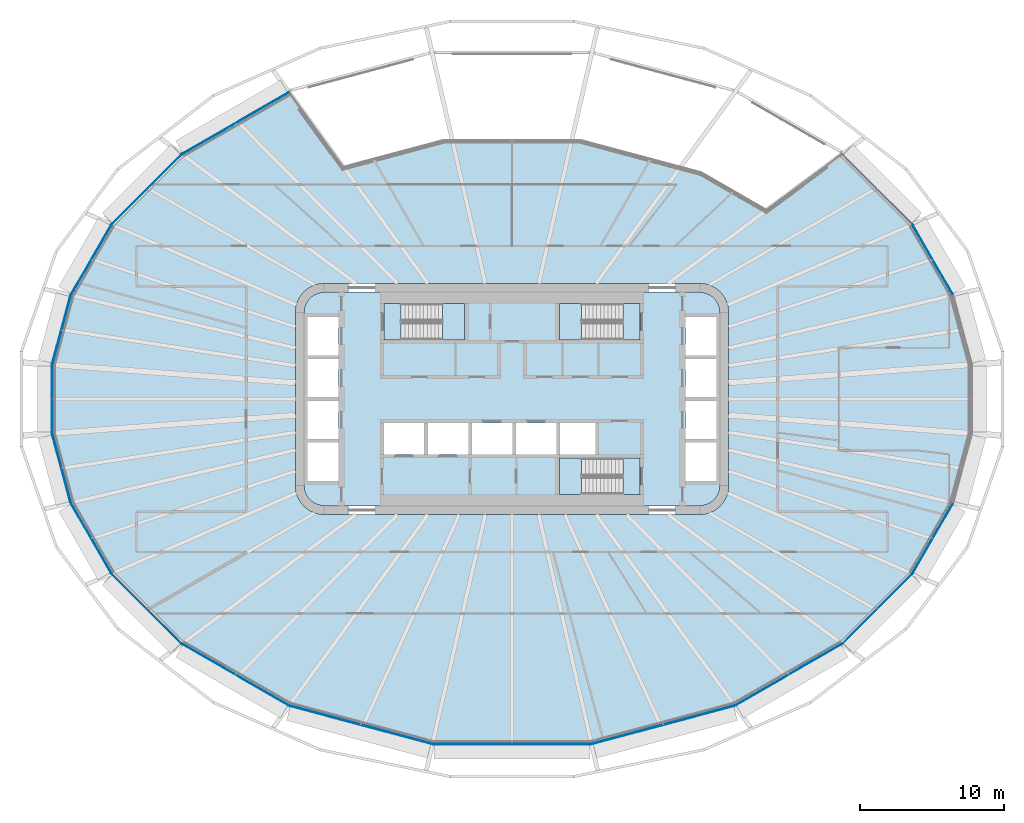
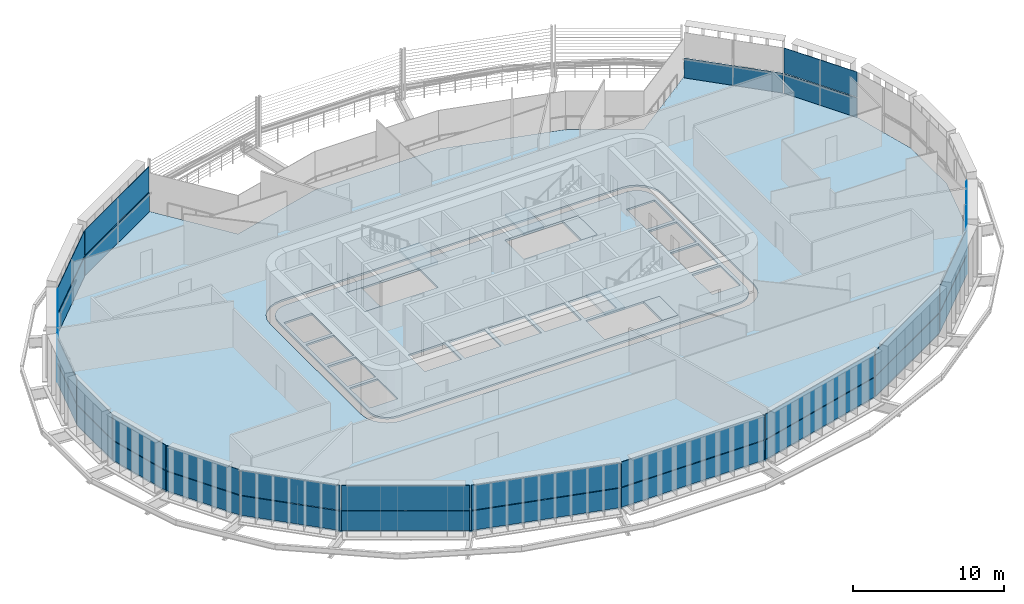
# One storey, part 12 of 24: 33 plates, 8 slabs, 20 elements without a shape of their own.
"""IFC4 building model written with IfcOpenShell, lengths in metres."""

from ifc_helpers import new_model, si_unit, direction, frame, origin, place, context, subcontext, project, spatial, polyline, outline, extrude, material, layer, layer_set, type_object, element, aggregate, save


model = new_model("IFC4")

# Units and contexts
model_context = context("Model", 3, precision=1e-05, world=origin(), true_north=direction((0.0, 1.0)))
body_context = subcontext(model_context, "Body", "Model", "MODEL_VIEW")
ifc_project = project(units=[si_unit("LENGTHUNIT", "METRE"), si_unit("AREAUNIT", "SQUARE_METRE"), si_unit("VOLUMEUNIT", "CUBIC_METRE"), si_unit("PLANEANGLEUNIT", "RADIAN"), si_unit("MASSUNIT", "GRAM", prefix="KILO")], contexts=[model_context])

# Site, building, storey
site_placement = place(None, origin())
site = spatial("IfcSite", under=ifc_project, at=site_placement, CompositionType="ELEMENT")
building_placement = place(site_placement, origin())
building = spatial("IfcBuilding", under=site, at=building_placement, Name="Sahrelin Media Tower", CompositionType="ELEMENT")
storey_placement = place(building_placement, frame((0.0, 0.0, 123.0)))
storey = spatial("IfcBuildingStorey", under=building, at=storey_placement, Name="L24", CompositionType="ELEMENT", Elevation=123.0)

# Slabs
ifc_material_1 = material(Name="Concrete C40/50", Category="concrete")
ifc_layer_1 = layer(ifc_material_1, 0.14990234375)
ifc_layer_set_1 = layer_set([ifc_layer_1], Name="Composite floor slab 150")
slab_type_1 = type_object("IfcSlabType", Name="Composite floor slab 150", PredefinedType="FLOOR", material=ifc_layer_set_1)
placement_1 = place(storey_placement, frame((0.0, 0.0, -0.14990234375)))
element("IfcSlab", 1, at=placement_1, inside=storey, type_object=slab_type_1, Name="Floor slab L24", PredefinedType="FLOOR", context=body_context, shape_type="SweptSolid", body=[
    extrude(outline(polyline([(30.535888671875, -7.178466796875), (31.822509765625, -2.376708984375), (31.822509765625, 2.376708984375), (30.535888671875, 7.178466796875), (27.707275390625, 12.07763671875), (22.846923828125, 16.93798828125), (22.841796875, 16.94091796875), (17.606689453125, 13.058349609375), (13.119384765625, 15.649169921875), (4.723876953125, 17.898681640625), (-4.723876953125, 17.898681640625), (-11.656982421875, 16.041015625), (-15.422607421875, 21.222900390625), (-15.427490234375, 21.2216796875), (-22.846923828125, 16.93798828125), (-27.707275390625, 12.07763671875), (-30.535888671875, 7.178466796875), (-31.822509765625, 2.376708984375), (-31.822509765625, -2.376708984375), (-30.535888671875, -7.178466796875), (-27.707275390625, -12.07763671875), (-22.846923828125, -16.93798828125), (-15.427490234375, -21.2216796875), (-5.510986328125, -23.878662109375), (5.510986328125, -23.878662109375), (15.427490234375, -21.2216796875), (22.846923828125, -16.93798828125), (27.707275390625, -12.07763671875), (30.535888671875, -7.178466796875)]), holes=[polyline([(14.732177734375, 7.0), (14.931884765625, 6.517578125), (15.0, 6.0), (15.0, -6.0), (14.931884765625, -6.517578125), (14.732177734375, -7.0), (14.414306640625, -7.414306640625), (14.0, -7.732177734375), (13.517578125, -7.931884765625), (13.0, -8.0), (-13.0, -8.0), (-13.517578125, -7.931884765625), (-14.0, -7.732177734375), (-14.414306640625, -7.414306640625), (-14.732177734375, -7.0), (-14.931884765625, -6.517578125), (-15.0, -6.0), (-15.0, 6.0), (-14.931884765625, 6.517578125), (-14.732177734375, 7.0), (-14.414306640625, 7.414306640625), (-14.0, 7.732177734375), (-13.517578125, 7.931884765625), (-13.0, 8.0), (13.0, 8.0), (13.517578125, 7.931884765625), (14.0, 7.732177734375), (14.414306640625, 7.414306640625), (14.732177734375, 7.0)])]), origin(), (0.0, 0.0, 1.0), 0.14990234375),
])
ifc_layer_2 = layer(ifc_material_1, 0.14990234375)
ifc_layer_set_2 = layer_set([ifc_layer_2], Name="Core floor slab 150")
slab_type_2 = type_object("IfcSlabType", Name="Core floor slab 150", PredefinedType="FLOOR", material=ifc_layer_set_2)
element("IfcSlab", 2, at=placement_1, inside=storey, type_object=slab_type_2, Name="Core floor", PredefinedType="FLOOR", context=body_context, shape_type="SweptSolid", body=[
    extrude(outline(polyline([(-14.347412109375, 6.361083984375), (-14.39990234375, 5.960693359375), (-14.39990234375, -5.960693359375), (-14.347412109375, -6.361083984375), (-14.2080078125, -6.697509765625), (-13.986328125, -6.986328125), (-13.697509765625, -7.2080078125), (-13.361083984375, -7.347412109375), (-12.960693359375, -7.39990234375), (12.960693359375, -7.39990234375), (13.361083984375, -7.347412109375), (13.697509765625, -7.2080078125), (13.986328125, -6.986328125), (14.2080078125, -6.697509765625), (14.347412109375, -6.361083984375), (14.39990234375, -5.960693359375), (14.39990234375, 5.960693359375), (14.347412109375, 6.361083984375), (14.2080078125, 6.697509765625), (13.986328125, 6.986328125), (13.697509765625, 7.2080078125), (13.361083984375, 7.347412109375), (12.960693359375, 7.39990234375), (-12.960693359375, 7.39990234375), (-13.361083984375, 7.347412109375), (-13.697509765625, 7.2080078125), (-13.986328125, 6.986328125), (-14.2080078125, 6.697509765625), (-14.347412109375, 6.361083984375)]), holes=[polyline([(-12.0, 3.02490234375), (-12.0, 5.675048828125), (-14.14990234375, 5.675048828125), (-14.14990234375, 3.02490234375), (-12.0, 3.02490234375)]), polyline([(-14.14990234375, 0.125), (-12.0, 0.125), (-12.0, 2.77490234375), (-14.14990234375, 2.77490234375), (-14.14990234375, 0.125)]), polyline([(-14.14990234375, -0.125), (-14.14990234375, -2.77490234375), (-12.0, -2.77490234375), (-12.0, -0.125), (-14.14990234375, -0.125)]), polyline([(-12.0, -3.02490234375), (-14.14990234375, -3.02490234375), (-14.14990234375, -5.675048828125), (-12.0, -5.675048828125), (-12.0, -3.02490234375)]), polyline([(14.14990234375, 3.02490234375), (14.14990234375, 5.675048828125), (12.0, 5.675048828125), (12.0, 3.02490234375), (14.14990234375, 3.02490234375)]), polyline([(12.0, 0.125), (14.14990234375, 0.125), (14.14990234375, 2.77490234375), (12.0, 2.77490234375), (12.0, 0.125)]), polyline([(12.0, -0.125), (12.0, -2.77490234375), (14.14990234375, -2.77490234375), (14.14990234375, -0.125), (12.0, -0.125)]), polyline([(14.14990234375, -3.02490234375), (12.0, -3.02490234375), (12.0, -5.675048828125), (14.14990234375, -5.675048828125), (14.14990234375, -3.02490234375)]), polyline([(-6.074951171875, -3.85009765625), (-6.074951171875, -1.64990234375), (-8.875, -1.64990234375), (-8.875, -3.85009765625), (-6.074951171875, -3.85009765625)]), polyline([(-5.824951171875, -3.85009765625), (-3.02490234375, -3.85009765625), (-3.02490234375, -1.64990234375), (-5.824951171875, -1.64990234375), (-5.824951171875, -3.85009765625)]), polyline([(-2.77490234375, -1.64990234375), (-2.77490234375, -3.85009765625), (0.02490234375, -3.85009765625), (0.02490234375, -1.64990234375), (-2.77490234375, -1.64990234375)]), polyline([(3.074951171875, -1.64990234375), (0.27490234375, -1.64990234375), (0.27490234375, -3.85009765625), (3.074951171875, -3.85009765625), (3.074951171875, -1.64990234375)]), polyline([(5.77490234375, -3.85009765625), (5.77490234375, -1.64990234375), (3.324951171875, -1.64990234375), (3.324951171875, -3.85009765625), (5.77490234375, -3.85009765625)]), polyline([(-8.875, 6.60009765625), (-8.875, 4.10009765625), (-3.27490234375, 4.10009765625), (-3.27490234375, 6.60009765625), (-8.875, 6.60009765625)]), polyline([(3.27490234375, 4.10009765625), (8.875, 4.10009765625), (8.875, 6.60009765625), (3.27490234375, 6.60009765625), (3.27490234375, 4.10009765625)]), polyline([(3.27490234375, -4.10009765625), (3.27490234375, -6.60009765625), (8.875, -6.60009765625), (8.875, -4.10009765625), (3.27490234375, -4.10009765625)])]), origin(), (0.0, 0.0, 1.0), 0.14990234375),
])

# Curtain wall, plate
ifc_material_2 = material(Name="Champagne anodised aluminium 6063-T6", Category="aluminium")
ifc_layer_3 = layer(ifc_material_2, 0.14990234375)
ifc_layer_set_3 = layer_set([ifc_layer_3], Name="Tower ribbon curtain wall")
curtain_wall_type = type_object("IfcCurtainWallType", Name="Tower ribbon curtain wall", PredefinedType="NOTDEFINED", material=ifc_layer_set_3)
curtain_wall_1_placement = place(storey_placement, frame((29.138916015625, 9.63818359375, 0.0), z_axis=(0.0, 0.0, 1.0), x_axis=(1.0, 0.0, 0.0)))
curtain_wall_1 = element("IfcCurtainWall", 3, at=curtain_wall_1_placement, inside=storey, type_object=curtain_wall_type, Name="L24:CW:L24-02", PredefinedType="NOTDEFINED")
ifc_material_3 = material(Name="Clear low-iron glazing", Category="glass")
ifc_layer_4 = layer(ifc_material_3, 0.0400390625)
ifc_layer_set_4 = layer_set([ifc_layer_4], Name="Glazing panel 40 mm CW1")
plate_type_1 = type_object("IfcPlateType", Name="Glazing panel 40 mm CW1", PredefinedType="CURTAIN_PANEL", material=ifc_layer_set_4)
plate_1_placement = place(storey_placement, frame((30.546630859375, 7.239501953125, 1.6298828125), z_axis=(0.866019667134, 0.500009936039, 0.0), x_axis=(-0.500009936039, 0.866019667134, 0.0)))
plate_1 = element("IfcPlate", 4, at=plate_1_placement, type_object=plate_type_1, Name="L24:CWP2:L24-02", PredefinedType="CURTAIN_PANEL", context=body_context, shape_type="SweptSolid", body=[
    extrude(outline(polyline([(0.0, 0.0), (5.5625, 0.0), (5.5625, 2.018798828125), (0.0, 2.018798828125), (0.0, 0.0)])), origin(), (0.0, 0.0, -1.0), 0.0400390625),
])

curtain_wall_2_placement = place(storey_placement, frame((-19.147216796875, 19.09716796875, 0.0), z_axis=(0.0, 0.0, 1.0), x_axis=(1.0, 0.0, 0.0)))
curtain_wall_2 = element("IfcCurtainWall", 5, at=curtain_wall_2_placement, inside=storey, type_object=curtain_wall_type, Name="L24:CW:L24-08", PredefinedType="NOTDEFINED")
plate_2_placement = place(storey_placement, frame((-15.488525390625, 21.232666015625, 1.6298828125), z_axis=(-0.500006807861, 0.866021473228, 0.0), x_axis=(-0.866021473228, -0.500006807861, 0.0)))
plate_2 = element("IfcPlate", 6, at=plate_2_placement, type_object=plate_type_1, Name="L24:CWP2:L24-08", PredefinedType="CURTAIN_PANEL", context=body_context, shape_type="SweptSolid", body=[
    extrude(outline(polyline([(0.0, 0.0), (8.47265625, 0.0), (8.47265625, 2.018798828125), (0.0, 2.018798828125), (0.0, 0.0)])), origin(), (0.0, 0.0, -1.0), 0.0400390625),
])

curtain_wall_3_placement = place(storey_placement, frame((-25.291259765625, 14.52197265625, 0.0), z_axis=(0.0, 0.0, 1.0), x_axis=(1.0, 0.0, 0.0)))
curtain_wall_3 = element("IfcCurtainWall", 7, at=curtain_wall_3_placement, inside=storey, type_object=curtain_wall_type, Name="L24:CW:L24-09", PredefinedType="NOTDEFINED")
plate_3_placement = place(storey_placement, frame((-22.90869140625, 16.932861328125, 1.6298828125), z_axis=(-0.707124788617, 0.707088773297, 0.0), x_axis=(-0.707088773297, -0.707124788617, 0.0)))
plate_3 = element("IfcPlate", 8, at=plate_3_placement, type_object=plate_type_1, Name="L24:CWP2:L24-09", PredefinedType="CURTAIN_PANEL", context=body_context, shape_type="SweptSolid", body=[
    extrude(outline(polyline([(0.0, 0.0), (6.77880859375, 0.0), (6.77880859375, 2.018798828125), (0.0, 2.018798828125), (0.0, 0.0)])), origin(), (0.0, 0.0, -1.0), 0.0400390625),
])

curtain_wall_4_placement = place(storey_placement, frame((-29.138916015625, 9.63818359375, 0.0), z_axis=(0.0, 0.0, 1.0), x_axis=(1.0, 0.0, 0.0)))
curtain_wall_4 = element("IfcCurtainWall", 9, at=curtain_wall_4_placement, inside=storey, type_object=curtain_wall_type, Name="L24:CW:L24-10", PredefinedType="NOTDEFINED")
plate_4_placement = place(storey_placement, frame((-27.765380859375, 12.056640625, 1.6298828125), z_axis=(-0.866019667134, 0.500009936039, 0.0), x_axis=(-0.500009936039, -0.866019667134, 0.0)))
plate_4 = element("IfcPlate", 10, at=plate_4_placement, type_object=plate_type_1, Name="L24:CWP2:L24-10", PredefinedType="CURTAIN_PANEL", context=body_context, shape_type="SweptSolid", body=[
    extrude(outline(polyline([(0.0, 0.0), (5.5625, 0.0), (5.5625, 2.018798828125), (0.0, 2.018798828125), (0.0, 0.0)])), origin(), (0.0, 0.0, -1.0), 0.0400390625),
])

curtain_wall_5_placement = place(storey_placement, frame((-31.198486328125, 4.78271484375, 0.0), z_axis=(0.0, 0.0, 1.0), x_axis=(1.0, 0.0, 0.0)))
curtain_wall_5 = element("IfcCurtainWall", 11, at=curtain_wall_5_placement, inside=storey, type_object=curtain_wall_type, Name="L24:CW:L24-11", PredefinedType="NOTDEFINED")
plate_5_placement = place(storey_placement, frame((-30.586669921875, 7.14306640625, 1.6298828125), z_axis=(-0.965923469749, 0.25882783967, 0.0), x_axis=(-0.25882783967, -0.965923469749, 0.0)))
plate_5 = element("IfcPlate", 12, at=plate_5_placement, type_object=plate_type_1, Name="L24:CWP2:L24-11", PredefinedType="CURTAIN_PANEL", context=body_context, shape_type="SweptSolid", body=[
    extrude(outline(polyline([(0.0, 0.0), (4.876708984375, 0.0), (4.876708984375, 2.018798828125), (0.0, 2.018798828125), (0.0, 0.0)])), origin(), (0.0, 0.0, -1.0), 0.0400390625),
])

curtain_wall_6_placement = place(storey_placement, frame((-31.84228515625, 0.0, 0.0), z_axis=(0.0, 0.0, 1.0), x_axis=(1.0, 0.0, 0.0)))
curtain_wall_6 = element("IfcCurtainWall", 13, at=curtain_wall_6_placement, inside=storey, type_object=curtain_wall_type, Name="L24:CW:L24-12", PredefinedType="NOTDEFINED")
plate_6_placement = place(storey_placement, frame((-31.8623046875, 2.3291015625, 1.6298828125), z_axis=(-1.0, 0.0, 0.0), x_axis=(0.0, -1.0, 0.0)))
plate_6 = element("IfcPlate", 14, at=plate_6_placement, type_object=plate_type_1, Name="L24:CWP2:L24-12", PredefinedType="CURTAIN_PANEL", context=body_context, shape_type="SweptSolid", body=[
    extrude(outline(polyline([(0.0, 0.0), (4.658203125, 0.0), (4.658203125, 2.018798828125), (0.0, 2.018798828125), (0.0, 0.0)])), origin(), (0.0, 0.0, -1.0), 0.0400390625),
])

curtain_wall_7_placement = place(storey_placement, frame((-31.198486328125, -4.78271484375, 0.0), z_axis=(0.0, 0.0, 1.0), x_axis=(1.0, 0.0, 0.0)))
curtain_wall_7 = element("IfcCurtainWall", 15, at=curtain_wall_7_placement, inside=storey, type_object=curtain_wall_type, Name="L24:CW:L24-13", PredefinedType="NOTDEFINED")
plate_7_placement = place(storey_placement, frame((-31.848876953125, -2.4326171875, 1.6298828125), z_axis=(-0.965923469749, -0.25882783967, 0.0), x_axis=(0.25882783967, -0.965923469749, 0.0)))
plate_7 = element("IfcPlate", 16, at=plate_7_placement, type_object=plate_type_1, Name="L24:CWP2:L24-13", PredefinedType="CURTAIN_PANEL", context=body_context, shape_type="SweptSolid", body=[
    extrude(outline(polyline([(0.0, 0.0), (4.876708984375, 0.0), (4.876708984375, 2.018798828125), (0.0, 2.018798828125), (0.0, 0.0)])), origin(), (0.0, 0.0, -1.0), 0.0400390625),
])

curtain_wall_8_placement = place(storey_placement, frame((-29.138916015625, -9.63818359375, 0.0), z_axis=(0.0, 0.0, 1.0), x_axis=(1.0, 0.0, 0.0)))
curtain_wall_8 = element("IfcCurtainWall", 17, at=curtain_wall_8_placement, inside=storey, type_object=curtain_wall_type, Name="L24:CW:L24-14", PredefinedType="NOTDEFINED")
plate_8_placement = place(storey_placement, frame((-30.546630859375, -7.239501953125, 1.6298828125), z_axis=(-0.866019667134, -0.500009936039, 0.0), x_axis=(0.500009936039, -0.866019667134, 0.0)))
plate_8 = element("IfcPlate", 18, at=plate_8_placement, type_object=plate_type_1, Name="L24:CWP2:L24-14", PredefinedType="CURTAIN_PANEL", context=body_context, shape_type="SweptSolid", body=[
    extrude(outline(polyline([(0.0, 0.0), (5.5625, 0.0), (5.5625, 2.018798828125), (0.0, 2.018798828125), (0.0, 0.0)])), origin(), (0.0, 0.0, -1.0), 0.0400390625),
])

curtain_wall_9_placement = place(storey_placement, frame((-25.291259765625, -14.52197265625, 0.0), z_axis=(0.0, 0.0, 1.0), x_axis=(1.0, 0.0, 0.0)))
curtain_wall_9 = element("IfcCurtainWall", 19, at=curtain_wall_9_placement, inside=storey, type_object=curtain_wall_type, Name="L24:CW:L24-15", PredefinedType="NOTDEFINED")
plate_9_placement = place(storey_placement, frame((-27.701904296875, -12.139404296875, 1.6298828125), z_axis=(-0.707124788617, -0.707088773297, 0.0), x_axis=(0.707088773297, -0.707124788617, 0.0)))
plate_9 = element("IfcPlate", 20, at=plate_9_placement, type_object=plate_type_1, Name="L24:CWP2:L24-15", PredefinedType="CURTAIN_PANEL", context=body_context, shape_type="SweptSolid", body=[
    extrude(outline(polyline([(0.0, 0.0), (6.77880859375, 0.0), (6.77880859375, 2.018798828125), (0.0, 2.018798828125), (0.0, 0.0)])), origin(), (0.0, 0.0, -1.0), 0.0400390625),
])

curtain_wall_10_placement = place(storey_placement, frame((-19.147216796875, -19.09716796875, 0.0), z_axis=(0.0, 0.0, 1.0), x_axis=(1.0, 0.0, 0.0)))
curtain_wall_10 = element("IfcCurtainWall", 21, at=curtain_wall_10_placement, inside=storey, type_object=curtain_wall_type, Name="L24:CW:L24-16", PredefinedType="NOTDEFINED")
plate_10_placement = place(storey_placement, frame((-22.825927734375, -16.996337890625, 1.6298828125), z_axis=(-0.500006807861, -0.866021473228, 0.0), x_axis=(0.866021473228, -0.500006807861, 0.0)))
plate_10 = element("IfcPlate", 22, at=plate_10_placement, type_object=plate_type_1, Name="L24:CWP2:L24-16", PredefinedType="CURTAIN_PANEL", context=body_context, shape_type="SweptSolid", body=[
    extrude(outline(polyline([(0.0, 0.0), (8.47265625, 0.0), (8.47265625, 2.018798828125), (0.0, 2.018798828125), (0.0, 0.0)])), origin(), (0.0, 0.0, -1.0), 0.0400390625),
])

curtain_wall_11_placement = place(storey_placement, frame((-10.474609375, -22.569580078125, 0.0), z_axis=(0.0, 0.0, 1.0), x_axis=(1.0, 0.0, 0.0)))
curtain_wall_11 = element("IfcCurtainWall", 23, at=curtain_wall_11_placement, inside=storey, type_object=curtain_wall_type, Name="L24:CW:L24-17", PredefinedType="NOTDEFINED")
plate_11_placement = place(storey_placement, frame((-15.39208984375, -21.272705078125, 1.6298828125), z_axis=(-0.258794873355, -0.965932302765, 0.0), x_axis=(0.965932302765, -0.258794873355, 0.0)))
plate_11 = element("IfcPlate", 24, at=plate_11_placement, type_object=plate_type_1, Name="L24:CWP2:L24-17", PredefinedType="CURTAIN_PANEL", context=body_context, shape_type="SweptSolid", body=[
    extrude(outline(polyline([(0.0, 0.0), (10.17138671875, 0.0), (10.17138671875, 2.018798828125), (0.0, 2.018798828125), (0.0, 0.0)])), origin(), (0.0, 0.0, -1.0), 0.0400390625),
])

curtain_wall_12_placement = place(storey_placement, frame((0.0, -23.898681640625, 0.0), z_axis=(0.0, 0.0, 1.0), x_axis=(1.0, 0.0, 0.0)))
curtain_wall_12 = element("IfcCurtainWall", 25, at=curtain_wall_12_placement, inside=storey, type_object=curtain_wall_type, Name="L24:CW:L24-18", PredefinedType="NOTDEFINED")
plate_12_placement = place(storey_placement, frame((-5.463623046875, -23.918701171875, 1.6298828125), z_axis=(0.0, -1.0, 0.0), x_axis=(1.0, 0.0, 0.0)))
plate_12 = element("IfcPlate", 26, at=plate_12_placement, type_object=plate_type_1, Name="L24:CWP2:L24-18", PredefinedType="CURTAIN_PANEL", context=body_context, shape_type="SweptSolid", body=[
    extrude(outline(polyline([(0.0, 0.0), (10.92724609375, 0.0), (10.92724609375, 2.018798828125), (0.0, 2.018798828125), (0.0, 0.0)])), origin(), (0.0, 0.0, -1.0), 0.0400390625),
])

curtain_wall_13_placement = place(storey_placement, frame((10.474365234375, -22.569580078125, 0.0), z_axis=(0.0, 0.0, 1.0), x_axis=(1.0, 0.0, 0.0)))
curtain_wall_13 = element("IfcCurtainWall", 27, at=curtain_wall_13_placement, inside=storey, type_object=curtain_wall_type, Name="L24:CW:L24-19", PredefinedType="NOTDEFINED")
plate_13_placement = place(storey_placement, frame((5.567138671875, -23.905029296875, 1.6298828125), z_axis=(0.258794873355, -0.965932302765, 0.0), x_axis=(0.965932302765, 0.258794873355, 0.0)))
plate_13 = element("IfcPlate", 28, at=plate_13_placement, type_object=plate_type_1, Name="L24:CWP2:L24-19", PredefinedType="CURTAIN_PANEL", context=body_context, shape_type="SweptSolid", body=[
    extrude(outline(polyline([(0.0, 0.0), (10.17138671875, 0.0), (10.17138671875, 2.018798828125), (0.0, 2.018798828125), (0.0, 0.0)])), origin(), (0.0, 0.0, -1.0), 0.0400390625),
])

curtain_wall_14_placement = place(storey_placement, frame((19.147216796875, -19.09716796875, 0.0), z_axis=(0.0, 0.0, 1.0), x_axis=(1.0, 0.0, 0.0)))
curtain_wall_14 = element("IfcCurtainWall", 29, at=curtain_wall_14_placement, inside=storey, type_object=curtain_wall_type, Name="L24:CW:L24-20", PredefinedType="NOTDEFINED")
plate_14_placement = place(storey_placement, frame((15.488525390625, -21.232666015625, 1.6298828125), z_axis=(0.500006807861, -0.866021473228, 0.0), x_axis=(0.866021473228, 0.500006807861, 0.0)))
plate_14 = element("IfcPlate", 30, at=plate_14_placement, type_object=plate_type_1, Name="L24:CWP2:L24-20", PredefinedType="CURTAIN_PANEL", context=body_context, shape_type="SweptSolid", body=[
    extrude(outline(polyline([(0.0, 0.0), (8.47265625, 0.0), (8.47265625, 2.018798828125), (0.0, 2.018798828125), (0.0, 0.0)])), origin(), (0.0, 0.0, -1.0), 0.0400390625),
])

curtain_wall_15_placement = place(storey_placement, frame((25.291259765625, -14.52197265625, 0.0), z_axis=(0.0, 0.0, 1.0), x_axis=(1.0, 0.0, 0.0)))
curtain_wall_15 = element("IfcCurtainWall", 31, at=curtain_wall_15_placement, inside=storey, type_object=curtain_wall_type, Name="L24:CW:L24-21", PredefinedType="NOTDEFINED")
plate_15_placement = place(storey_placement, frame((22.90869140625, -16.932861328125, 1.6298828125), z_axis=(0.707124788617, -0.707088773297, 0.0), x_axis=(0.707088773297, 0.707124788617, 0.0)))
plate_15 = element("IfcPlate", 32, at=plate_15_placement, type_object=plate_type_1, Name="L24:CWP2:L24-21", PredefinedType="CURTAIN_PANEL", context=body_context, shape_type="SweptSolid", body=[
    extrude(outline(polyline([(0.0, 0.0), (6.77880859375, 0.0), (6.77880859375, 2.018798828125), (0.0, 2.018798828125), (0.0, 0.0)])), origin(), (0.0, 0.0, -1.0), 0.0400390625),
])

curtain_wall_16_placement = place(storey_placement, frame((29.138916015625, -9.63818359375, 0.0), z_axis=(0.0, 0.0, 1.0), x_axis=(1.0, 0.0, 0.0)))
curtain_wall_16 = element("IfcCurtainWall", 33, at=curtain_wall_16_placement, inside=storey, type_object=curtain_wall_type, Name="L24:CW:L24-22", PredefinedType="NOTDEFINED")
plate_16_placement = place(storey_placement, frame((27.765380859375, -12.056640625, 1.6298828125), z_axis=(0.866019667134, -0.500009936039, 0.0), x_axis=(0.500009936039, 0.866019667134, 0.0)))
plate_16 = element("IfcPlate", 34, at=plate_16_placement, type_object=plate_type_1, Name="L24:CWP2:L24-22", PredefinedType="CURTAIN_PANEL", context=body_context, shape_type="SweptSolid", body=[
    extrude(outline(polyline([(0.0, 0.0), (5.5625, 0.0), (5.5625, 2.018798828125), (0.0, 2.018798828125), (0.0, 0.0)])), origin(), (0.0, 0.0, -1.0), 0.0400390625),
])

# Plate
ifc_material_4 = material(Name="Insulated spandrel panel")
ifc_layer_5 = layer(ifc_material_4, 0.06005859375)
ifc_layer_set_5 = layer_set([ifc_layer_5], Name="Spandrel panel 60 mm CW1")
plate_type_2 = type_object("IfcPlateType", Name="Spandrel panel 60 mm CW1", PredefinedType="SHEET", material=ifc_layer_set_5)
plate_17_placement = place(storey_placement, frame((30.546630859375, 7.239501953125, 0.0), z_axis=(0.866019667134, 0.500009936039, 0.0), x_axis=(-0.500009936039, 0.866019667134, 0.0)))
plate_17 = element("IfcPlate", 35, at=plate_17_placement, type_object=plate_type_2, Name="L24:CWP1:L24-02", PredefinedType="SHEET", context=body_context, shape_type="SweptSolid", body=[
    extrude(outline(polyline([(0.0, 0.0), (5.5625, 0.0), (5.5625, 1.570068359375), (0.0, 1.570068359375), (0.0, 0.0)])), origin(), (0.0, 0.0, -1.0), 0.06005859375),
])

aggregate(curtain_wall_1, [plate_17, plate_1])

# Curtain wall, plate
curtain_wall_17_placement = place(storey_placement, frame((25.291259765625, 14.52197265625, 0.0), z_axis=(0.0, 0.0, 1.0), x_axis=(1.0, 0.0, 0.0)))
curtain_wall_17 = element("IfcCurtainWall", 36, at=curtain_wall_17_placement, inside=storey, type_object=curtain_wall_type, Name="L24:CW:L24-03", PredefinedType="NOTDEFINED")
plate_18_placement = place(storey_placement, frame((27.701904296875, 12.139404296875, 0.0), z_axis=(0.707124788617, 0.707088773297, 0.0), x_axis=(-0.707088773297, 0.707124788617, 0.0)))
plate_18 = element("IfcPlate", 37, at=plate_18_placement, type_object=plate_type_2, Name="L24:CWP1:L24-03", PredefinedType="SHEET", context=body_context, shape_type="SweptSolid", body=[
    extrude(outline(polyline([(0.0, 0.0), (6.77880859375, 0.0), (6.77880859375, 1.570068359375), (0.0, 1.570068359375), (0.0, 0.0)])), origin(), (0.0, 0.0, -1.0), 0.06005859375),
])
aggregate(curtain_wall_17, [plate_18])

# Plate
plate_19_placement = place(storey_placement, frame((-15.488525390625, 21.232666015625, 0.0), z_axis=(-0.500006807861, 0.866021473228, 0.0), x_axis=(-0.866021473228, -0.500006807861, 0.0)))
plate_19 = element("IfcPlate", 38, at=plate_19_placement, type_object=plate_type_2, Name="L24:CWP1:L24-08", PredefinedType="SHEET", context=body_context, shape_type="SweptSolid", body=[
    extrude(outline(polyline([(0.0, 0.0), (8.47265625, 0.0), (8.47265625, 1.570068359375), (0.0, 1.570068359375), (0.0, 0.0)])), origin(), (0.0, 0.0, -1.0), 0.06005859375),
])

aggregate(curtain_wall_2, [plate_19, plate_2])

plate_20_placement = place(storey_placement, frame((-22.90869140625, 16.932861328125, 0.0), z_axis=(-0.707124788617, 0.707088773297, 0.0), x_axis=(-0.707088773297, -0.707124788617, 0.0)))
plate_20 = element("IfcPlate", 39, at=plate_20_placement, type_object=plate_type_2, Name="L24:CWP1:L24-09", PredefinedType="SHEET", context=body_context, shape_type="SweptSolid", body=[
    extrude(outline(polyline([(0.0, 0.0), (6.77880859375, 0.0), (6.77880859375, 1.570068359375), (0.0, 1.570068359375), (0.0, 0.0)])), origin(), (0.0, 0.0, -1.0), 0.06005859375),
])

aggregate(curtain_wall_3, [plate_20, plate_3])

plate_21_placement = place(storey_placement, frame((-27.765380859375, 12.056640625, 0.0), z_axis=(-0.866019667134, 0.500009936039, 0.0), x_axis=(-0.500009936039, -0.866019667134, 0.0)))
plate_21 = element("IfcPlate", 40, at=plate_21_placement, type_object=plate_type_2, Name="L24:CWP1:L24-10", PredefinedType="SHEET", context=body_context, shape_type="SweptSolid", body=[
    extrude(outline(polyline([(0.0, 0.0), (5.5625, 0.0), (5.5625, 1.570068359375), (0.0, 1.570068359375), (0.0, 0.0)])), origin(), (0.0, 0.0, -1.0), 0.06005859375),
])

aggregate(curtain_wall_4, [plate_21, plate_4])

plate_22_placement = place(storey_placement, frame((-30.586669921875, 7.14306640625, 0.0), z_axis=(-0.965923469749, 0.25882783967, 0.0), x_axis=(-0.25882783967, -0.965923469749, 0.0)))
plate_22 = element("IfcPlate", 41, at=plate_22_placement, type_object=plate_type_2, Name="L24:CWP1:L24-11", PredefinedType="SHEET", context=body_context, shape_type="SweptSolid", body=[
    extrude(outline(polyline([(0.0, 0.0), (4.876708984375, 0.0), (4.876708984375, 1.570068359375), (0.0, 1.570068359375), (0.0, 0.0)])), origin(), (0.0, 0.0, -1.0), 0.06005859375),
])

aggregate(curtain_wall_5, [plate_22, plate_5])

plate_23_placement = place(storey_placement, frame((-31.8623046875, 2.3291015625, 0.0), z_axis=(-1.0, 0.0, 0.0), x_axis=(0.0, -1.0, 0.0)))
plate_23 = element("IfcPlate", 42, at=plate_23_placement, type_object=plate_type_2, Name="L24:CWP1:L24-12", PredefinedType="SHEET", context=body_context, shape_type="SweptSolid", body=[
    extrude(outline(polyline([(0.0, 0.0), (4.658203125, 0.0), (4.658203125, 1.570068359375), (0.0, 1.570068359375), (0.0, 0.0)])), origin(), (0.0, 0.0, -1.0), 0.06005859375),
])

aggregate(curtain_wall_6, [plate_23, plate_6])

plate_24_placement = place(storey_placement, frame((-31.848876953125, -2.4326171875, 0.0), z_axis=(-0.965923469749, -0.25882783967, 0.0), x_axis=(0.25882783967, -0.965923469749, 0.0)))
plate_24 = element("IfcPlate", 43, at=plate_24_placement, type_object=plate_type_2, Name="L24:CWP1:L24-13", PredefinedType="SHEET", context=body_context, shape_type="SweptSolid", body=[
    extrude(outline(polyline([(0.0, 0.0), (4.876708984375, 0.0), (4.876708984375, 1.570068359375), (0.0, 1.570068359375), (0.0, 0.0)])), origin(), (0.0, 0.0, -1.0), 0.06005859375),
])

aggregate(curtain_wall_7, [plate_24, plate_7])

plate_25_placement = place(storey_placement, frame((-30.546630859375, -7.239501953125, 0.0), z_axis=(-0.866019667134, -0.500009936039, 0.0), x_axis=(0.500009936039, -0.866019667134, 0.0)))
plate_25 = element("IfcPlate", 44, at=plate_25_placement, type_object=plate_type_2, Name="L24:CWP1:L24-14", PredefinedType="SHEET", context=body_context, shape_type="SweptSolid", body=[
    extrude(outline(polyline([(0.0, 0.0), (5.5625, 0.0), (5.5625, 1.570068359375), (0.0, 1.570068359375), (0.0, 0.0)])), origin(), (0.0, 0.0, -1.0), 0.06005859375),
])

aggregate(curtain_wall_8, [plate_25, plate_8])

plate_26_placement = place(storey_placement, frame((-27.701904296875, -12.139404296875, 0.0), z_axis=(-0.707124788617, -0.707088773297, 0.0), x_axis=(0.707088773297, -0.707124788617, 0.0)))
plate_26 = element("IfcPlate", 45, at=plate_26_placement, type_object=plate_type_2, Name="L24:CWP1:L24-15", PredefinedType="SHEET", context=body_context, shape_type="SweptSolid", body=[
    extrude(outline(polyline([(0.0, 0.0), (6.77880859375, 0.0), (6.77880859375, 1.570068359375), (0.0, 1.570068359375), (0.0, 0.0)])), origin(), (0.0, 0.0, -1.0), 0.06005859375),
])

aggregate(curtain_wall_9, [plate_26, plate_9])

plate_27_placement = place(storey_placement, frame((-22.825927734375, -16.996337890625, 0.0), z_axis=(-0.500006807861, -0.866021473228, 0.0), x_axis=(0.866021473228, -0.500006807861, 0.0)))
plate_27 = element("IfcPlate", 46, at=plate_27_placement, type_object=plate_type_2, Name="L24:CWP1:L24-16", PredefinedType="SHEET", context=body_context, shape_type="SweptSolid", body=[
    extrude(outline(polyline([(0.0, 0.0), (8.47265625, 0.0), (8.47265625, 1.570068359375), (0.0, 1.570068359375), (0.0, 0.0)])), origin(), (0.0, 0.0, -1.0), 0.06005859375),
])

aggregate(curtain_wall_10, [plate_27, plate_10])

plate_28_placement = place(storey_placement, frame((-15.39208984375, -21.272705078125, 0.0), z_axis=(-0.258794873355, -0.965932302765, 0.0), x_axis=(0.965932302765, -0.258794873355, 0.0)))
plate_28 = element("IfcPlate", 47, at=plate_28_placement, type_object=plate_type_2, Name="L24:CWP1:L24-17", PredefinedType="SHEET", context=body_context, shape_type="SweptSolid", body=[
    extrude(outline(polyline([(0.0, 0.0), (10.17138671875, 0.0), (10.17138671875, 1.570068359375), (0.0, 1.570068359375), (0.0, 0.0)])), origin(), (0.0, 0.0, -1.0), 0.06005859375),
])

aggregate(curtain_wall_11, [plate_28, plate_11])

plate_29_placement = place(storey_placement, frame((-5.463623046875, -23.918701171875, 0.0), z_axis=(0.0, -1.0, 0.0), x_axis=(1.0, 0.0, 0.0)))
plate_29 = element("IfcPlate", 48, at=plate_29_placement, type_object=plate_type_2, Name="L24:CWP1:L24-18", PredefinedType="SHEET", context=body_context, shape_type="SweptSolid", body=[
    extrude(outline(polyline([(0.0, 0.0), (10.92724609375, 0.0), (10.92724609375, 1.570068359375), (0.0, 1.570068359375), (0.0, 0.0)])), origin(), (0.0, 0.0, -1.0), 0.06005859375),
])

aggregate(curtain_wall_12, [plate_29, plate_12])

plate_30_placement = place(storey_placement, frame((5.567138671875, -23.905029296875, 0.0), z_axis=(0.258794873355, -0.965932302765, 0.0), x_axis=(0.965932302765, 0.258794873355, 0.0)))
plate_30 = element("IfcPlate", 49, at=plate_30_placement, type_object=plate_type_2, Name="L24:CWP1:L24-19", PredefinedType="SHEET", context=body_context, shape_type="SweptSolid", body=[
    extrude(outline(polyline([(0.0, 0.0), (10.17138671875, 0.0), (10.17138671875, 1.570068359375), (0.0, 1.570068359375), (0.0, 0.0)])), origin(), (0.0, 0.0, -1.0), 0.06005859375),
])

aggregate(curtain_wall_13, [plate_30, plate_13])

plate_31_placement = place(storey_placement, frame((15.488525390625, -21.232666015625, 0.0), z_axis=(0.500006807861, -0.866021473228, 0.0), x_axis=(0.866021473228, 0.500006807861, 0.0)))
plate_31 = element("IfcPlate", 50, at=plate_31_placement, type_object=plate_type_2, Name="L24:CWP1:L24-20", PredefinedType="SHEET", context=body_context, shape_type="SweptSolid", body=[
    extrude(outline(polyline([(0.0, 0.0), (8.47265625, 0.0), (8.47265625, 1.570068359375), (0.0, 1.570068359375), (0.0, 0.0)])), origin(), (0.0, 0.0, -1.0), 0.06005859375),
])

aggregate(curtain_wall_14, [plate_31, plate_14])

plate_32_placement = place(storey_placement, frame((22.90869140625, -16.932861328125, 0.0), z_axis=(0.707124788617, -0.707088773297, 0.0), x_axis=(0.707088773297, 0.707124788617, 0.0)))
plate_32 = element("IfcPlate", 51, at=plate_32_placement, type_object=plate_type_2, Name="L24:CWP1:L24-21", PredefinedType="SHEET", context=body_context, shape_type="SweptSolid", body=[
    extrude(outline(polyline([(0.0, 0.0), (6.77880859375, 0.0), (6.77880859375, 1.570068359375), (0.0, 1.570068359375), (0.0, 0.0)])), origin(), (0.0, 0.0, -1.0), 0.06005859375),
])

aggregate(curtain_wall_15, [plate_32, plate_15])

plate_33_placement = place(storey_placement, frame((27.765380859375, -12.056640625, 0.0), z_axis=(0.866019667134, -0.500009936039, 0.0), x_axis=(0.500009936039, 0.866019667134, 0.0)))
plate_33 = element("IfcPlate", 52, at=plate_33_placement, type_object=plate_type_2, Name="L24:CWP1:L24-22", PredefinedType="SHEET", context=body_context, shape_type="SweptSolid", body=[
    extrude(outline(polyline([(0.0, 0.0), (5.5625, 0.0), (5.5625, 1.570068359375), (0.0, 1.570068359375), (0.0, 0.0)])), origin(), (0.0, 0.0, -1.0), 0.06005859375),
])

aggregate(curtain_wall_16, [plate_33, plate_16])

# Stair, slabs
stair_type = type_object("IfcStairType", Name="Exit stair 1200", PredefinedType="HALF_TURN_STAIR", material=ifc_material_1)
placement_2 = place(storey_placement, origin())
stair_1 = element("IfcStair", 53, at=placement_2, inside=storey, type_object=stair_type, Name="L24 Exit stair ST1", PredefinedType="HALF_TURN_STAIR")
ifc_layer_6 = layer(ifc_material_1, 0.199951171875)
ifc_layer_set_6 = layer_set([ifc_layer_6], Name="Stair landing 200")
slab_type_3 = type_object("IfcSlabType", Name="Stair landing 200", PredefinedType="LANDING", material=ifc_layer_set_6)
placement_3 = place(storey_placement, frame((0.0, 0.0, 1.89990234375)))
slab_3 = element("IfcSlab", 54, at=placement_3, type_object=slab_type_3, Name="ST1 landing 1", PredefinedType="LANDING", context=body_context, shape_type="SweptSolid", body=[
    extrude(outline(polyline([(-4.81494140625, 4.10009765625), (-3.27490234375, 4.10009765625), (-3.27490234375, 6.60009765625), (-4.81494140625, 6.60009765625), (-4.81494140625, 4.10009765625)])), origin(), (0.0, 0.0, 1.0), 0.2001953125),
])
placement_4 = place(storey_placement, frame((0.0, 0.0, -0.199951171875)))
slab_4 = element("IfcSlab", 55, at=placement_4, type_object=slab_type_3, Name="ST1 landing 2", PredefinedType="LANDING", context=body_context, shape_type="SweptSolid", body=[
    extrude(outline(polyline([(-8.875, 4.10009765625), (-7.675048828125, 4.10009765625), (-7.675048828125, 6.60009765625), (-8.875, 6.60009765625), (-8.875, 4.10009765625)])), origin(), (0.0, 0.0, 1.0), 0.199951171875),
])
aggregate(stair_1, [slab_3, slab_4])

stair_2 = element("IfcStair", 56, at=placement_2, inside=storey, type_object=stair_type, Name="L24 Exit stair ST3", PredefinedType="HALF_TURN_STAIR")
slab_5 = element("IfcSlab", 57, at=placement_3, type_object=slab_type_3, Name="ST3 landing 1", PredefinedType="LANDING", context=body_context, shape_type="SweptSolid", body=[
    extrude(outline(polyline([(4.81494140625, 6.60009765625), (3.27490234375, 6.60009765625), (3.27490234375, 4.10009765625), (4.81494140625, 4.10009765625), (4.81494140625, 6.60009765625)])), origin(), (0.0, 0.0, 1.0), 0.2001953125),
])
slab_6 = element("IfcSlab", 58, at=placement_4, type_object=slab_type_3, Name="ST3 landing 2", PredefinedType="LANDING", context=body_context, shape_type="SweptSolid", body=[
    extrude(outline(polyline([(8.875, 6.60009765625), (7.675048828125, 6.60009765625), (7.675048828125, 4.10009765625), (8.875, 4.10009765625), (8.875, 6.60009765625)])), origin(), (0.0, 0.0, 1.0), 0.199951171875),
])
aggregate(stair_2, [slab_5, slab_6])

stair_3 = element("IfcStair", 59, at=placement_2, inside=storey, type_object=stair_type, Name="L24 Exit stair ST2", PredefinedType="HALF_TURN_STAIR")
slab_7 = element("IfcSlab", 60, at=placement_3, type_object=slab_type_3, Name="ST2 landing 1", PredefinedType="LANDING", context=body_context, shape_type="SweptSolid", body=[
    extrude(outline(polyline([(4.81494140625, -4.10009765625), (3.27490234375, -4.10009765625), (3.27490234375, -6.60009765625), (4.81494140625, -6.60009765625), (4.81494140625, -4.10009765625)])), origin(), (0.0, 0.0, 1.0), 0.2001953125),
])
slab_8 = element("IfcSlab", 61, at=placement_4, type_object=slab_type_3, Name="ST2 landing 2", PredefinedType="LANDING", context=body_context, shape_type="SweptSolid", body=[
    extrude(outline(polyline([(8.875, -4.10009765625), (7.675048828125, -4.10009765625), (7.675048828125, -6.60009765625), (8.875, -6.60009765625), (8.875, -4.10009765625)])), origin(), (0.0, 0.0, 1.0), 0.199951171875),
])
aggregate(stair_3, [slab_7, slab_8])

save(model, "model.ifc")
